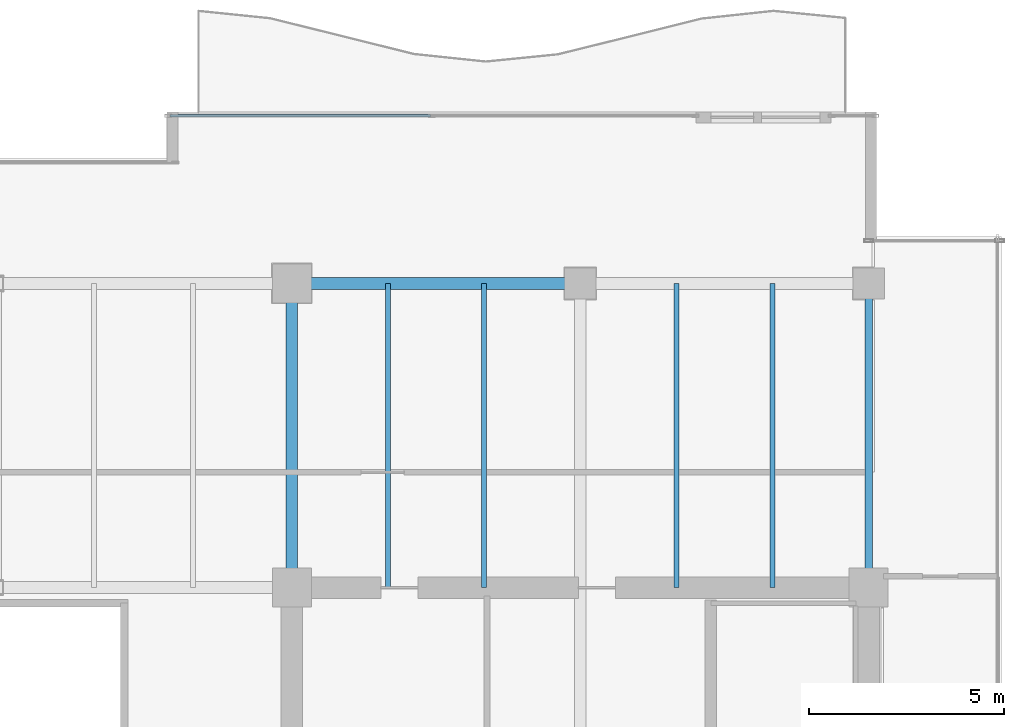
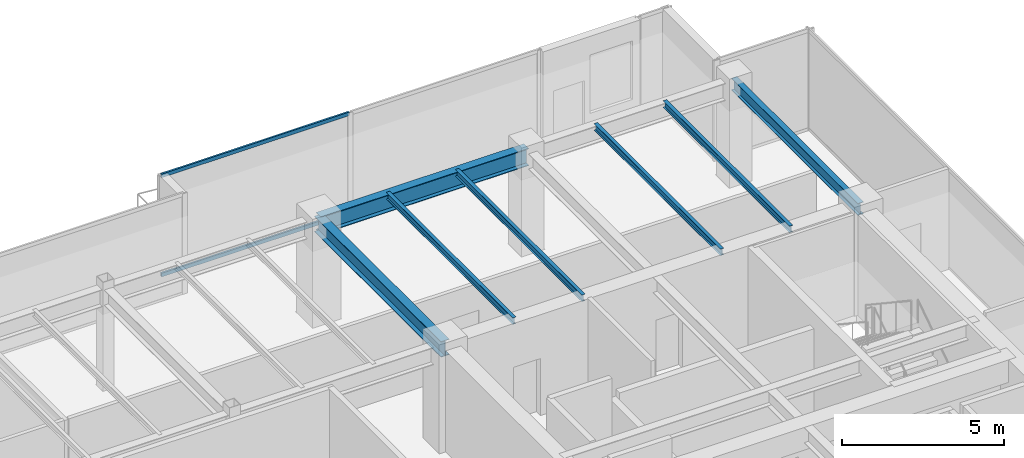
# One storey, part 20 of 35: 7 beams, 2 members, 1 element without a shape of its own.
"""IFC4 building model written with IfcOpenShell, lengths in metres."""

from ifc_helpers import new_model, si_unit, direction, frame, origin, origin_2d, place, context, subcontext, project, spatial, hollow_rectangle, i_section, extrude, source, transform, mapped, material, layer, layer_set, material_profile, profile_set, type_object, type_shapes, element, aggregate, save


model = new_model("IFC4")

# Units and contexts
model_context = context("Model", 3, precision=1e-05, world=origin(), true_north=direction((0.0, 1.0)))
body_context = subcontext(model_context, "Body", "Model", "MODEL_VIEW")
ifc_project = project(units=[si_unit("LENGTHUNIT", "METRE"), si_unit("AREAUNIT", "SQUARE_METRE"), si_unit("VOLUMEUNIT", "CUBIC_METRE"), si_unit("PLANEANGLEUNIT", "RADIAN"), si_unit("MASSUNIT", "GRAM", prefix="KILO")], contexts=[model_context])

# Site, building, storey
site_placement = place(None, origin())
site = spatial("IfcSite", under=ifc_project, at=site_placement, CompositionType="ELEMENT")
building_placement = place(site_placement, origin())
building = spatial("IfcBuilding", under=site, at=building_placement, Name="Haelvirn Gate Laboratories", CompositionType="ELEMENT")
storey_placement = place(building_placement, frame((0.0, 0.0, 283.39990234375)))
storey = spatial("IfcBuildingStorey", under=building, at=storey_placement, Name="L68", CompositionType="ELEMENT", Elevation=283.39990234375)

# Beams
ifc_material_1 = material(Name="Steel SM355", Category="steel")
ifc_material_profile_1 = material_profile(ifc_material_1, i_section(OverallWidth=0.300048828125, OverallDepth=0.587890625, WebThickness=0.011962890625, FlangeThickness=0.02001953125, at=origin_2d()), Name="H-588x300x12x20")
ifc_profile_set_1 = profile_set([ifc_material_profile_1], Name="Steel SM355")
beam_type_1 = type_object("IfcBeamType", Name="BM-G-588", PredefinedType="BEAM", material=ifc_profile_set_1)
shared_shape_1 = source(origin(), body_context, "Body", "SweptSolid", [
    extrude(i_section(OverallWidth=0.300048828125, OverallDepth=0.587890625, WebThickness=0.011962890625, FlangeThickness=0.02001953125, at=origin_2d()), origin(), (0.0, 0.0, 1.0), 7.800048828125),
])
type_shapes(beam_type_1, [shared_shape_1])
beam_1_placement = place(storey_placement, frame((52.60009765625, 33.800048828125, 3.506103515625), z_axis=(0.0, 1.0, 0.0), x_axis=(-1.0, 0.0, 0.0)))
element("IfcBeam", 1, at=beam_1_placement, inside=storey, type_object=beam_type_1, Name="L68 Frame Girder X52.6 (33.8-41.6)", PredefinedType="BEAM", context=body_context, shape_type="MappedRepresentation", body=[
    mapped(shared_shape_1, transform((0.0, 0.0, 0.0), scale=1.0)),
])
ifc_material_profile_2 = material_profile(ifc_material_1, i_section(OverallWidth=0.300048828125, OverallDepth=0.64990234375, WebThickness=0.012939453125, FlangeThickness=0.02197265625, at=origin_2d()), Name="H-650x300x13x22")
ifc_profile_set_2 = profile_set([ifc_material_profile_2], Name="Steel SM355")
beam_type_2 = type_object("IfcBeamType", Name="BM-G-650", PredefinedType="BEAM", material=ifc_profile_set_2)
shared_shape_2 = source(origin(), body_context, "Body", "SweptSolid", [
    extrude(i_section(OverallWidth=0.300048828125, OverallDepth=0.64990234375, WebThickness=0.012939453125, FlangeThickness=0.02197265625, at=origin_2d()), origin(), (0.0, 0.0, 1.0), 7.39990234375),
])
type_shapes(beam_type_2, [shared_shape_2])
beam_2_placement = place(storey_placement, frame((52.60009765625, 41.60009765625, 3.47509765625), z_axis=(1.0, 0.0, 0.0), x_axis=(0.0, 1.0, 0.0)))
element("IfcBeam", 2, at=beam_2_placement, inside=storey, type_object=beam_type_2, Name="L68 Primary Girder Y41.6 (52.6-60.0)", PredefinedType="BEAM", context=body_context, shape_type="MappedRepresentation", body=[
    mapped(shared_shape_2, transform((0.0, 0.0, 0.0), scale=1.0)),
])
ifc_material_profile_3 = material_profile(ifc_material_1, i_section(OverallWidth=0.199951171875, OverallDepth=0.449951171875, WebThickness=0.009033203125, FlangeThickness=0.013916015625, at=origin_2d()), Name="H-450x200x9x14")
ifc_profile_set_3 = profile_set([ifc_material_profile_3], Name="Steel SM355")
beam_type_3 = type_object("IfcBeamType", Name="BM-SP-450", PredefinedType="SPANDREL", material=ifc_profile_set_3)
shared_shape_3 = source(origin(), body_context, "Body", "SweptSolid", [
    extrude(i_section(OverallWidth=0.199951171875, OverallDepth=0.449951171875, WebThickness=0.009033203125, FlangeThickness=0.013916015625, at=origin_2d()), origin(), (0.0, 0.0, 1.0), 7.800048828125),
])
type_shapes(beam_type_3, [shared_shape_3])
beam_3_placement = place(storey_placement, frame((67.39990234375, 33.800048828125, 3.5751953125), z_axis=(0.0, 1.0, 0.0), x_axis=(-1.0, 0.0, 0.0)))
element("IfcBeam", 3, at=beam_3_placement, inside=storey, type_object=beam_type_3, Name="L68 Perimeter Spandrel X67.4 (33.8-41.6)", PredefinedType="SPANDREL", context=body_context, shape_type="MappedRepresentation", body=[
    mapped(shared_shape_3, transform((0.0, 0.0, 0.0), scale=1.0)),
])
ifc_material_profile_4 = material_profile(ifc_material_1, i_section(OverallWidth=0.125, OverallDepth=0.25, WebThickness=0.006103515625, FlangeThickness=0.009033203125, at=origin_2d()), Name="H-250x125x6x9")
ifc_profile_set_4 = profile_set([ifc_material_profile_4], Name="Steel SM355")
beam_type_4 = type_object("IfcBeamType", Name="BM-J-250", PredefinedType="JOIST", material=ifc_profile_set_4)
shared_shape_4 = source(origin(), body_context, "Body", "SweptSolid", [
    extrude(i_section(OverallWidth=0.125, OverallDepth=0.25, WebThickness=0.006103515625, FlangeThickness=0.009033203125, at=origin_2d()), origin(), (0.0, 0.0, 1.0), 7.800048828125),
])
type_shapes(beam_type_4, [shared_shape_4])
for number, where, z_axis, x_axis, name in (
    (4, (55.070068359375, 33.800048828125, 3.675048828125), (0.0, 1.0, 0.0), (-1.0, 0.0, 0.0), "L68 Composite Lab Joist North X55.07"),
    (5, (57.530029296875, 33.800048828125, 3.675048828125), (0.0, 1.0, 0.0), (-1.0, 0.0, 0.0), "L68 Composite Lab Joist North X57.53"),
    (6, (62.469970703125, 33.800048828125, 3.675048828125), (0.0, 1.0, 0.0), (-1.0, 0.0, 0.0), "L68 Composite Lab Joist North X62.47"),
    (7, (64.929931640625, 33.800048828125, 3.675048828125), (0.0, 1.0, 0.0), (-1.0, 0.0, 0.0), "L68 Composite Lab Joist North X64.93"),
):
    element("IfcBeam", number, at=place(storey_placement, frame(where, z_axis=z_axis, x_axis=x_axis)), inside=storey, type_object=beam_type_4, Name=name, PredefinedType="JOIST", context=body_context, shape_type="MappedRepresentation", body=[
        mapped(shared_shape_4, transform((0.0, 0.0, 0.0), scale=1.0)),
    ])

# Curtain wall, members
ifc_material_2 = material(Name="Anodised bronze unitised aluminium & triple low-E glass", Category="aluminium")
ifc_layer = layer(ifc_material_2, 0.176025390625, Name="CW-SYS-4")
ifc_layer_set = layer_set([ifc_layer], Name="Anodised bronze unitised aluminium & triple low-E glass")
curtain_wall_type = type_object("IfcCurtainWallType", Name="CW-SYS-4", PredefinedType="NOTDEFINED", material=ifc_layer_set)
curtain_wall_placement = place(storey_placement, origin())
curtain_wall = element("IfcCurtainWall", 8, at=curtain_wall_placement, inside=storey, type_object=curtain_wall_type, Name="L68 Unitised Curtain Wall CW-L68-P0-E10-1", PredefinedType="NOTDEFINED")
ifc_material_3 = material(Name="Extruded aluminium 6063-T6 (anodised bronze)", Category="aluminium")
ifc_material_profile_5 = material_profile(ifc_material_3, hollow_rectangle(XDim=0.06494140625, YDim=0.139892578125, WallThickness=0.00390625, at=origin_2d()), Name="CWT-140x65x4")
ifc_profile_set_5 = profile_set([ifc_material_profile_5], Name="Extruded aluminium 6063-T6 (anodised bronze)")
member_type = type_object("IfcMemberType", Name="CWT-T140", PredefinedType="USERDEFINED", material=ifc_profile_set_5)
shared_shape_5 = source(origin(), body_context, "Body", "SweptSolid", [
    extrude(hollow_rectangle(XDim=0.06494140625, YDim=0.139892578125, WallThickness=0.00390625, at=origin_2d()), origin(), (0.0, 0.0, 1.0), 6.68505859375),
])
type_shapes(member_type, [shared_shape_5])
member_1_placement = place(storey_placement, frame((49.469970703125, 45.89990234375, 0.03271484375), z_axis=(1.0, 0.0, 0.0), x_axis=(0.0, 1.0, 0.0)))
member_1 = element("IfcMember", 9, at=member_1_placement, type_object=member_type, Name="CW4 transom 1.1", ObjectType="TRANSOM", PredefinedType="USERDEFINED", context=body_context, shape_type="MappedRepresentation", body=[
    mapped(shared_shape_5, transform((0.0, 0.0, 0.0), scale=1.0)),
])
member_2_placement = place(storey_placement, frame((49.469970703125, 45.89990234375, 3.767578125), z_axis=(1.0, 0.0, 0.0), x_axis=(0.0, 1.0, 0.0)))
member_2 = element("IfcMember", 10, at=member_2_placement, type_object=member_type, Name="CW4 transom 1.2", ObjectType="TRANSOM", PredefinedType="USERDEFINED", context=body_context, shape_type="MappedRepresentation", body=[
    mapped(shared_shape_5, transform((0.0, 0.0, 0.0), scale=1.0)),
])
aggregate(curtain_wall, [member_1, member_2])

save(model, "model.ifc")
